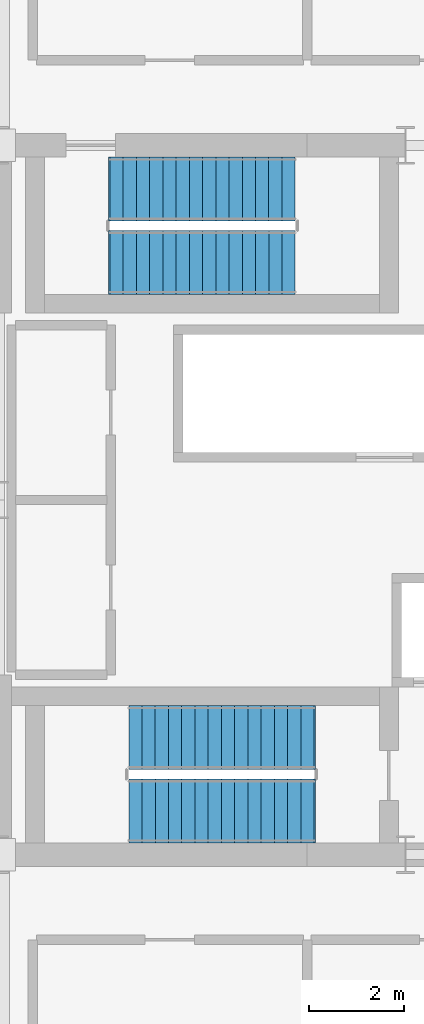
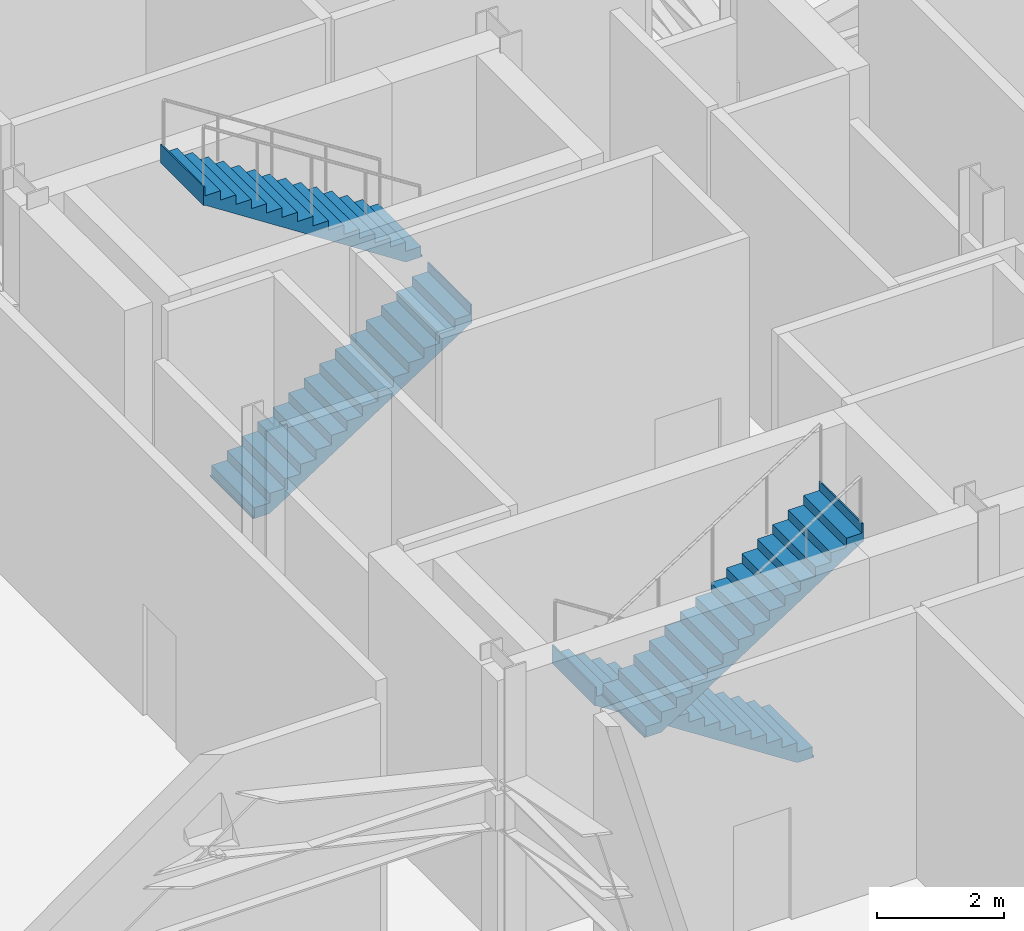
# One storey, part 5 of 9: 4 stair flights, 2 elements without a shape of their own.
"""IFC4 building model written with IfcOpenShell, lengths in metres."""

from ifc_helpers import new_model, si_unit, direction, frame, origin, place, context, subcontext, project, spatial, polyline, outline, extrude, material, type_object, element, aggregate, save


model = new_model("IFC4")

# Units and contexts
model_context = context("Model", 3, precision=1e-05, world=origin(), true_north=direction((0.0, 1.0)))
body_context = subcontext(model_context, "Body", "Model", "MODEL_VIEW")
ifc_project = project(units=[si_unit("LENGTHUNIT", "METRE"), si_unit("AREAUNIT", "SQUARE_METRE"), si_unit("VOLUMEUNIT", "CUBIC_METRE"), si_unit("PLANEANGLEUNIT", "RADIAN"), si_unit("MASSUNIT", "GRAM", prefix="KILO")], contexts=[model_context])

# Site, building, storey
site_placement = place(None, origin())
site = spatial("IfcSite", under=ifc_project, at=site_placement, CompositionType="ELEMENT")
building_placement = place(site_placement, origin())
building = spatial("IfcBuilding", under=site, at=building_placement, Name="Barlavira Tower and Art Museum", CompositionType="ELEMENT")
storey_placement = place(building_placement, frame((0.0, 0.0, 212.39990234375)))
storey = spatial("IfcBuildingStorey", under=building, at=storey_placement, Name="L55", CompositionType="ELEMENT", Elevation=212.39990234375)

# Stair, stair flights
ifc_material_1 = material(Name="Concrete C45", Category="concrete")
stair_type_1 = type_object("IfcStairType", Name="Tower North Dog-Leg Exit Stair Assembly Concrete C45", PredefinedType="TWO_QUARTER_TURN_STAIR", material=ifc_material_1)
stair_1_placement = place(storey_placement, origin())
stair_1 = element("IfcStair", 1, at=stair_1_placement, inside=storey, type_object=stair_type_1, Name="L55 Tower North Exit Stair ST-T2", PredefinedType="TWO_QUARTER_TURN_STAIR")
ifc_material_2 = material(Name="Precast concrete C45", Category="concrete")
stair_flight_type_1 = type_object("IfcStairFlightType", Name="Tower North Dog-Leg Exit Stair Precast Flight 1350 Concrete C45", PredefinedType="STRAIGHT", material=ifc_material_2)
stair_flight_1_placement = place(storey_placement, frame((-4.169921875, 5.02490234375, 0.0), z_axis=(0.0, 0.0, 1.0), x_axis=(1.0, 0.0, 0.0)))
stair_flight_1 = element("IfcStairFlight", 2, at=stair_flight_1_placement, type_object=stair_flight_type_1, Name="ST-T2 flight 1", NumberOfRisers=15, NumberOfTreads=14, PredefinedType="STRAIGHT", RiserHeight=0.18, TreadLength=0.28, context=body_context, shape_type="SweptSolid", body=[
    extrude(outline(polyline([(-0.02490234375, 0.0), (0.0, 0.0), (0.0, 0.179931640625), (0.280029296875, 0.179931640625), (0.280029296875, 0.360107421875), (0.56005859375, 0.360107421875), (0.56005859375, 0.5400390625), (0.840087890625, 0.5400390625), (0.840087890625, 0.719970703125), (1.1201171875, 0.719970703125), (1.1201171875, 0.89990234375), (1.39990234375, 0.89990234375), (1.39990234375, 1.080078125), (1.679931640625, 1.080078125), (1.679931640625, 1.260009765625), (1.9599609375, 1.260009765625), (1.9599609375, 1.43994140625), (2.239990234375, 1.43994140625), (2.239990234375, 1.6201171875), (2.52001953125, 1.6201171875), (2.52001953125, 1.800048828125), (2.800048828125, 1.800048828125), (2.800048828125, 1.97998046875), (3.080078125, 1.97998046875), (3.080078125, 2.159912109375), (3.360107421875, 2.159912109375), (3.360107421875, 2.340087890625), (3.639892578125, 2.340087890625), (3.639892578125, 2.52001953125), (3.919921875, 2.52001953125), (3.919921875, 2.699951171875), (3.94482421875, 2.699951171875), (3.94482421875, 2.341796875), (3.919921875, 2.341796875), (0.277099609375, -0.02490234375), (-0.02490234375, -0.02490234375), (-0.02490234375, 0.0)])), frame((0.0, 0.675048828125, 0.0), z_axis=(0.0, -1.0, 0.0), x_axis=(1.0, 0.0, 0.0)), (0.0, 0.0, 1.0), 1.35009765625),
])
stair_flight_2_placement = place(storey_placement, frame((-0.25, 6.574951171875, 2.7001953125), z_axis=(0.0, 0.0, 1.0), x_axis=(-1.0, 0.0, 0.0)))
stair_flight_2 = element("IfcStairFlight", 3, at=stair_flight_2_placement, type_object=stair_flight_type_1, Name="ST-T2 flight 2", NumberOfRisers=15, NumberOfTreads=14, PredefinedType="STRAIGHT", RiserHeight=0.18, TreadLength=0.28, context=body_context, shape_type="SweptSolid", body=[
    extrude(outline(polyline([(-0.02490234375, 0.0), (0.0, 0.0), (0.0, 0.179931640625), (0.280029296875, 0.179931640625), (0.280029296875, 0.360107421875), (0.56005859375, 0.360107421875), (0.56005859375, 0.5400390625), (0.840087890625, 0.5400390625), (0.840087890625, 0.719970703125), (1.1201171875, 0.719970703125), (1.1201171875, 0.89990234375), (1.39990234375, 0.89990234375), (1.39990234375, 1.080078125), (1.679931640625, 1.080078125), (1.679931640625, 1.260009765625), (1.9599609375, 1.260009765625), (1.9599609375, 1.43994140625), (2.239990234375, 1.43994140625), (2.239990234375, 1.6201171875), (2.52001953125, 1.6201171875), (2.52001953125, 1.800048828125), (2.800048828125, 1.800048828125), (2.800048828125, 1.97998046875), (3.080078125, 1.97998046875), (3.080078125, 2.159912109375), (3.360107421875, 2.159912109375), (3.360107421875, 2.340087890625), (3.639892578125, 2.340087890625), (3.639892578125, 2.52001953125), (3.919921875, 2.52001953125), (3.919921875, 2.699951171875), (3.94482421875, 2.699951171875), (3.94482421875, 2.341796875), (3.919921875, 2.341796875), (0.277099609375, -0.02490234375), (-0.02490234375, -0.02490234375), (-0.02490234375, 0.0)])), frame((0.0, 0.675048828125, 0.0), z_axis=(0.0, -1.0, 0.0), x_axis=(1.0, 0.0, 0.0)), (0.0, 0.0, 1.0), 1.35009765625),
])
aggregate(stair_1, [stair_flight_1, stair_flight_2])

stair_type_2 = type_object("IfcStairType", Name="Tower South Dog-Leg Exit Stair Assembly Concrete C45", PredefinedType="TWO_QUARTER_TURN_STAIR", material=ifc_material_1)
stair_2_placement = place(storey_placement, origin())
stair_2 = element("IfcStair", 4, at=stair_2_placement, inside=storey, type_object=stair_type_2, Name="L55 Tower South Exit Stair ST-T1", PredefinedType="TWO_QUARTER_TURN_STAIR")
stair_flight_type_2 = type_object("IfcStairFlightType", Name="Tower South Dog-Leg Exit Stair Precast Flight 1350 Concrete C45", PredefinedType="STRAIGHT", material=ifc_material_2)
stair_flight_3_placement = place(storey_placement, frame((0.14990234375, -5.02490234375, 0.0), z_axis=(0.0, 0.0, 1.0), x_axis=(-1.0, 0.0, 0.0)))
stair_flight_3 = element("IfcStairFlight", 5, at=stair_flight_3_placement, type_object=stair_flight_type_2, Name="ST-T1 flight 1", NumberOfRisers=15, NumberOfTreads=14, PredefinedType="STRAIGHT", RiserHeight=0.18, TreadLength=0.28, context=body_context, shape_type="SweptSolid", body=[
    extrude(outline(polyline([(-0.02490234375, 0.0), (0.0, 0.0), (0.0, 0.179931640625), (0.280029296875, 0.179931640625), (0.280029296875, 0.360107421875), (0.56005859375, 0.360107421875), (0.56005859375, 0.5400390625), (0.840087890625, 0.5400390625), (0.840087890625, 0.719970703125), (1.1201171875, 0.719970703125), (1.1201171875, 0.89990234375), (1.39990234375, 0.89990234375), (1.39990234375, 1.080078125), (1.679931640625, 1.080078125), (1.679931640625, 1.260009765625), (1.9599609375, 1.260009765625), (1.9599609375, 1.43994140625), (2.239990234375, 1.43994140625), (2.239990234375, 1.6201171875), (2.52001953125, 1.6201171875), (2.52001953125, 1.800048828125), (2.800048828125, 1.800048828125), (2.800048828125, 1.97998046875), (3.080078125, 1.97998046875), (3.080078125, 2.159912109375), (3.360107421875, 2.159912109375), (3.360107421875, 2.340087890625), (3.639892578125, 2.340087890625), (3.639892578125, 2.52001953125), (3.919921875, 2.52001953125), (3.919921875, 2.699951171875), (3.94482421875, 2.699951171875), (3.94482421875, 2.341796875), (3.919921875, 2.341796875), (0.277099609375, -0.02490234375), (-0.02490234375, -0.02490234375), (-0.02490234375, 0.0)])), frame((0.0, 0.675048828125, 0.0), z_axis=(0.0, -1.0, 0.0), x_axis=(1.0, 0.0, 0.0)), (0.0, 0.0, 1.0), 1.35009765625),
])
stair_flight_4_placement = place(storey_placement, frame((-3.77001953125, -6.574951171875, 2.7001953125), z_axis=(0.0, 0.0, 1.0), x_axis=(1.0, 0.0, 0.0)))
stair_flight_4 = element("IfcStairFlight", 6, at=stair_flight_4_placement, type_object=stair_flight_type_2, Name="ST-T1 flight 2", NumberOfRisers=15, NumberOfTreads=14, PredefinedType="STRAIGHT", RiserHeight=0.18, TreadLength=0.28, context=body_context, shape_type="SweptSolid", body=[
    extrude(outline(polyline([(-0.02490234375, 0.0), (0.0, 0.0), (0.0, 0.179931640625), (0.280029296875, 0.179931640625), (0.280029296875, 0.360107421875), (0.56005859375, 0.360107421875), (0.56005859375, 0.5400390625), (0.840087890625, 0.5400390625), (0.840087890625, 0.719970703125), (1.1201171875, 0.719970703125), (1.1201171875, 0.89990234375), (1.39990234375, 0.89990234375), (1.39990234375, 1.080078125), (1.679931640625, 1.080078125), (1.679931640625, 1.260009765625), (1.9599609375, 1.260009765625), (1.9599609375, 1.43994140625), (2.239990234375, 1.43994140625), (2.239990234375, 1.6201171875), (2.52001953125, 1.6201171875), (2.52001953125, 1.800048828125), (2.800048828125, 1.800048828125), (2.800048828125, 1.97998046875), (3.080078125, 1.97998046875), (3.080078125, 2.159912109375), (3.360107421875, 2.159912109375), (3.360107421875, 2.340087890625), (3.639892578125, 2.340087890625), (3.639892578125, 2.52001953125), (3.919921875, 2.52001953125), (3.919921875, 2.699951171875), (3.94482421875, 2.699951171875), (3.94482421875, 2.341796875), (3.919921875, 2.341796875), (0.277099609375, -0.02490234375), (-0.02490234375, -0.02490234375), (-0.02490234375, 0.0)])), frame((0.0, 0.675048828125, 0.0), z_axis=(0.0, -1.0, 0.0), x_axis=(1.0, 0.0, 0.0)), (0.0, 0.0, 1.0), 1.35009765625),
])
aggregate(stair_2, [stair_flight_3, stair_flight_4])

save(model, "model.ifc")
